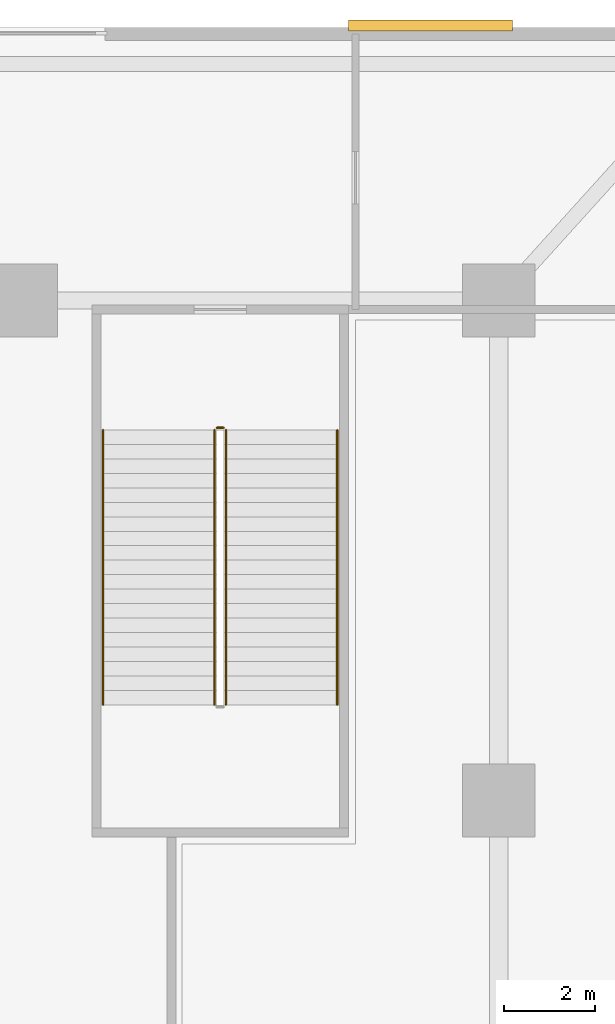
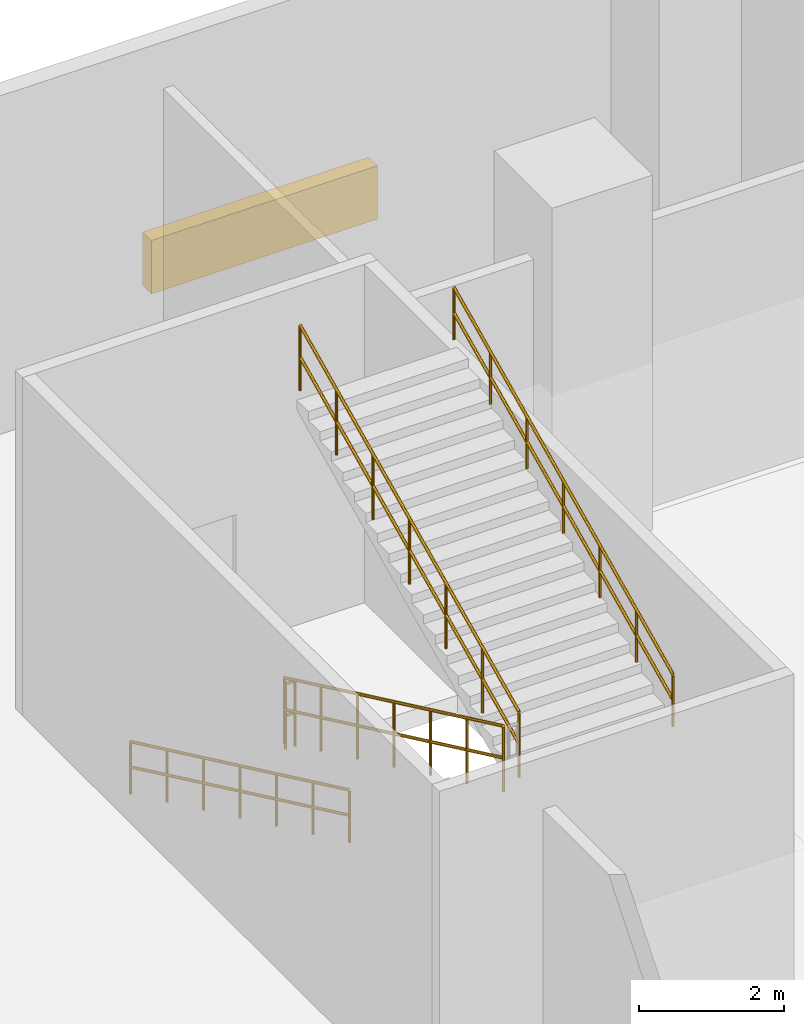
# One storey, part 15 of 16: 5 railings, 1 shading device.
"""IFC4 building model written with IfcOpenShell, lengths in metres."""

import ifcopenshell
import ifcopenshell.guid

model = None  # the IFC model being written
_history = None  # IfcOwnerHistory: only IFC2X3 demands one
_inside = {}  # id of a spatial element -> (the spatial element, [elements in it])
_under = {}  # id of a project, library or spatial element -> (it, [spatial elements below it])
_declared = {}  # id of a project -> (the project, [libraries it declares])
_typed = {}  # id of a type object -> (the type object, [elements of that type])
_made_of = {}  # id of a material, layer set ... -> (it, [elements and type objects made of it])


def new_model(schema):
    """Start an empty IFC model of exactly this schema.

    Asked for "IFC4X3", IfcOpenShell would pick the latest addendum, in which some entities
    have other attributes; the version numbers below select the first issue.
    IFC2X3 requires an IfcOwnerHistory on every rooted entity: one is made here for all.
    """
    global model, _history
    if schema == "IFC4X3":
        model = ifcopenshell.file(schema_version=(4, 3, 0, 0))
    else:
        model = ifcopenshell.file(schema=schema)
    _inside.clear()
    _under.clear()
    _declared.clear()
    _typed.clear()
    _made_of.clear()
    _history = None
    if model.schema == "IFC2X3":
        org = make("IfcOrganization", Name="unknown")
        user = make(
            "IfcPersonAndOrganization",
            ThePerson=make("IfcPerson", FamilyName="unknown"),
            TheOrganization=org,
        )
        app = make(
            "IfcApplication",
            ApplicationDeveloper=org,
            Version="unknown",
            ApplicationFullName="unknown",
            ApplicationIdentifier="unknown",
        )
        _history = make(
            "IfcOwnerHistory",
            OwningUser=user,
            OwningApplication=app,
            ChangeAction="ADDED",
            CreationDate=0,
        )
    return model


def make(cls, **values):
    """One entity of the class cls with the attributes given. An attribute that is None is left unset."""
    return model.create_entity(
        cls, **{name: value for name, value in values.items() if value is not None}
    )


def rooted(cls, **values):
    """An entity with a GlobalId (a new one), such as an element, a storey or a relation."""
    return make(cls, GlobalId=ifcopenshell.guid.new(), OwnerHistory=_history, **values)


def si_unit(unit_type, name, prefix=None):
    """IfcSIUnit, for example si_unit("LENGTHUNIT", "METRE", prefix="MILLI")."""
    return make("IfcSIUnit", UnitType=unit_type, Prefix=prefix, Name=name)


def assignment(units):
    """IfcUnitAssignment: the units of a project."""
    return None if units is None else make("IfcUnitAssignment", Units=units)


def point(xyz):
    """IfcCartesianPoint."""
    return None if xyz is None else make("IfcCartesianPoint", Coordinates=xyz)


def direction(xyz):
    """IfcDirection."""
    return None if xyz is None else make("IfcDirection", DirectionRatios=xyz)


def frame(location, z_axis=None, x_axis=None):
    """IfcAxis2Placement3D, a coordinate frame: its origin and axes. An axis left out is left unset."""
    return make(
        "IfcAxis2Placement3D",
        Location=point(location),
        Axis=direction(z_axis),
        RefDirection=direction(x_axis),
    )


def frame_2d(location, x_axis=None):
    """IfcAxis2Placement2D, a coordinate frame in the plane: its origin and x axis."""
    return make(
        "IfcAxis2Placement2D", Location=point(location), RefDirection=direction(x_axis)
    )


def origin():
    """The frame at (0, 0, 0) with its axes left unset."""
    return frame((0.0, 0.0, 0.0))


def origin_2d():
    """The frame at (0, 0) in the plane with its x axis left unset."""
    return frame_2d((0.0, 0.0))


def place(relative_to, where):
    """IfcLocalPlacement: puts the frame where relative to a parent placement (None: the world)."""
    return make(
        "IfcLocalPlacement", PlacementRelTo=relative_to, RelativePlacement=where
    )


def context(
    kind, dimensions, precision=None, world=None, true_north=None, identifier=None
):
    """IfcGeometricRepresentationContext, for example the 3D "Model" context."""
    return make(
        "IfcGeometricRepresentationContext",
        ContextIdentifier=identifier,
        ContextType=kind,
        CoordinateSpaceDimension=dimensions,
        Precision=precision,
        WorldCoordinateSystem=world,
        TrueNorth=true_north,
    )


def subcontext(parent, identifier, kind, view, scale=None):
    """IfcGeometricRepresentationSubContext, for example "Body" below "Model"."""
    return make(
        "IfcGeometricRepresentationSubContext",
        ContextIdentifier=identifier,
        ContextType=kind,
        ParentContext=parent,
        TargetScale=scale,
        TargetView=view,
    )


def project(units=None, contexts=None):
    """IfcProject with its units and contexts."""
    return rooted(
        "IfcProject",
        Name="project",
        RepresentationContexts=contexts,
        UnitsInContext=assignment(units),
    )


def spatial(cls, under=None, at=None, **own):
    """A site, building, storey or space (cls), placed at a placement, below another one or the project."""
    s = rooted(cls, ObjectPlacement=at, **own)
    if under is not None:
        _under.setdefault(under.id(), (under, []))[1].append(s)
    return s


def profile(cls, at=None, kind="AREA", **sizes):
    """A parametric profile (cls). Its sizes go by their IFC names, for example OverallWidth=200.0."""
    return make(cls, ProfileType=kind, Position=at, **sizes)


def rectangle(**sizes):
    """IfcRectangleProfileDef."""
    return profile("IfcRectangleProfileDef", **sizes)


def circle(**sizes):
    """IfcCircleProfileDef."""
    return profile("IfcCircleProfileDef", **sizes)


def extrude(swept, where, along, depth):
    """IfcExtrudedAreaSolid: the profile swept, set in the frame where, extruded along a direction by depth."""
    return make(
        "IfcExtrudedAreaSolid",
        SweptArea=swept,
        Position=where,
        ExtrudedDirection=direction(along),
        Depth=depth,
    )


def shape(context_of_items, identifier, shape_type, items):
    """IfcShapeRepresentation: the items that make up one representation, for example the "Body"."""
    return make(
        "IfcShapeRepresentation",
        ContextOfItems=context_of_items,
        RepresentationIdentifier=identifier,
        RepresentationType=shape_type,
        Items=items,
    )


def material(Name=None, Category=None):
    """IfcMaterial."""
    return make("IfcMaterial", Name=Name, Category=Category)


def layer(
    of_material, thickness, ventilated=None, Name=None, Category=None, Priority=None
):
    """IfcMaterialLayer: one layer of a wall or slab, of a material (None: an air gap)."""
    return make(
        "IfcMaterialLayer",
        Material=of_material,
        LayerThickness=thickness,
        IsVentilated=ventilated,
        Name=Name,
        Category=Category,
        Priority=Priority,
    )


def layer_set(layers, Name=None):
    """IfcMaterialLayerSet."""
    return make("IfcMaterialLayerSet", MaterialLayers=layers, LayerSetName=Name)


def made_of(thing, what):
    """Note that an element or type object is made of a material, layer set ...; save() writes the relation."""
    if what is not None:
        _made_of.setdefault(what.id(), (what, []))[1].append(thing)
    return thing


def type_object(cls, material=None, **own):
    """A type object (cls), such as IfcWallType, which elements share."""
    return made_of(rooted(cls, **own), material)


def element(
    cls,
    number,
    at=None,
    inside=None,
    cuts=None,
    type_object=None,
    material=None,
    context=None,
    identifier="Body",
    shape_type=None,
    held_by="IfcProductDefinitionShape",
    body=None,
    shapes=None,
    **own,
):
    """One element of the class cls, such as IfcWall. Its Tag is "e" and its number.

    at: its placement. inside: the storey or other place that contains it. cuts: it is an
    opening in that element (IfcRelVoidsElement). A single representation is given by context,
    identifier, shape_type and body (its items); several are given by shapes. held_by: the class
    of the entity that holds the representations. save() writes the other relations.
    """
    e = rooted(cls, Tag="e%d" % number, ObjectPlacement=at, **own)
    if body is not None:
        shapes = [shape(context, identifier, shape_type, body)]
    if shapes is not None:
        e.Representation = make(held_by, Representations=shapes)
    if inside is not None:
        _inside.setdefault(inside.id(), (inside, []))[1].append(e)
    if cuts is not None:
        rooted(
            "IfcRelVoidsElement", RelatingBuildingElement=cuts, RelatedOpeningElement=e
        )
    if type_object is not None:
        _typed.setdefault(type_object.id(), (type_object, []))[1].append(e)
    return made_of(e, material)


def aggregate(whole, parts):
    """IfcRelAggregates: a whole, such as a stair, and the parts it consists of."""
    return rooted("IfcRelAggregates", RelatingObject=whole, RelatedObjects=parts)


def save(model, path):
    """Write the relations noted so far, then the file.

    IfcRelAggregates (storeys below a building ...), IfcRelContainedInSpatialStructure (elements
    in a storey), IfcRelDefinesByType, IfcRelAssociatesMaterial and IfcRelDeclares: one each for
    every whole, place, type object, material and project.
    """
    for whole, parts in _under.values():
        aggregate(whole, parts)
    for where, things in _inside.values():
        rooted(
            "IfcRelContainedInSpatialStructure",
            RelatedElements=things,
            RelatingStructure=where,
        )
    for kind, things in _typed.values():
        rooted("IfcRelDefinesByType", RelatedObjects=things, RelatingType=kind)
    for what, things in _made_of.values():
        rooted("IfcRelAssociatesMaterial", RelatedObjects=things, RelatingMaterial=what)
    for by, libraries in _declared.values():
        rooted("IfcRelDeclares", RelatingContext=by, RelatedDefinitions=libraries)
    model.write(path)


model = new_model("IFC4")

# Units and contexts
model_context = context("Model", 3, precision=1e-05, world=origin(), true_north=direction((0.0, 1.0)))
body_context = subcontext(model_context, "Body", "Model", "MODEL_VIEW")
ifc_project = project(units=[si_unit("LENGTHUNIT", "METRE"), si_unit("AREAUNIT", "SQUARE_METRE"), si_unit("VOLUMEUNIT", "CUBIC_METRE"), si_unit("PLANEANGLEUNIT", "RADIAN"), si_unit("MASSUNIT", "GRAM", prefix="KILO")], contexts=[model_context])

# Site, building, storey
site_placement = place(None, origin())
site = spatial("IfcSite", under=ifc_project, at=site_placement, CompositionType="ELEMENT")
building_placement = place(site_placement, origin())
building = spatial("IfcBuilding", under=site, at=building_placement, Name="Solmavex Isthmus Hotel", CompositionType="ELEMENT")
storey_placement = place(building_placement, frame((0.0, 0.0, 5.39990234375)))
storey = spatial("IfcBuildingStorey", under=building, at=storey_placement, Name="L02", CompositionType="ELEMENT", Elevation=5.39990234375)

# Railings
ifc_material_1 = material(Name="Stainless steel 316", Category="steel")
ifc_layer_1 = layer(ifc_material_1, 0.06005859375)
ifc_layer_set_1 = layer_set([ifc_layer_1], Name="Stainless steel 316")
railing_type_1 = type_object("IfcRailingType", Name="RAIL-STAIR-GD", PredefinedType="GUARDRAIL", material=ifc_layer_set_1)
railing_1_placement = place(storey_placement, frame((22.25, 14.64990234375, 0.150146484375)))
element("IfcRailing", 1, at=railing_1_placement, inside=storey, type_object=railing_type_1, Name="L02 ST-3 stair guard 1", PredefinedType="GUARDRAIL", context=body_context, shape_type="SweptSolid", body=[
    extrude(circle(Radius=0.02392578125, at=origin_2d()), frame((0.0, 0.0, 1.09619140625), z_axis=(0.0, -0.904439840197, 0.426601190182), x_axis=(1.0, 0.0, 0.0)), (0.0, 0.0, 1.0), 6.680419921875),
    extrude(circle(Radius=0.02392578125, at=origin_2d()), frame((0.0, 0.0, 0.56005859375), z_axis=(0.0, -0.904439840197, 0.426601190182), x_axis=(1.0, 0.0, 0.0)), (0.0, 0.0, 1.0), 6.680419921875),
    extrude(circle(Radius=0.02099609375, at=origin_2d()), origin(), (0.0, 0.0, 1.0), 1.072021484375),
    extrude(circle(Radius=0.02099609375, at=origin_2d()), frame((0.0, -1.007080078125, 0.47509765625)), (0.0, 0.0, 1.0), 1.072021484375),
    extrude(circle(Radius=0.02099609375, at=origin_2d()), frame((0.0, -2.013916015625, 0.949951171875)), (0.0, 0.0, 1.0), 1.072021484375),
    extrude(circle(Radius=0.02099609375, at=origin_2d()), frame((0.0, -3.02099609375, 1.4248046875)), (0.0, 0.0, 1.0), 1.072021484375),
    extrude(circle(Radius=0.02099609375, at=origin_2d()), frame((0.0, -4.028076171875, 1.89990234375)), (0.0, 0.0, 1.0), 1.072021484375),
    extrude(circle(Radius=0.02099609375, at=origin_2d()), frame((0.0, -5.034912109375, 2.375)), (0.0, 0.0, 1.0), 1.072021484375),
    extrude(circle(Radius=0.02099609375, at=origin_2d()), frame((0.0, -6.0419921875, 2.849853515625)), (0.0, 0.0, 1.0), 1.072021484375),
])
railing_2_placement = place(storey_placement, frame((22.5, 8.60791015625, 3.150146484375)))
element("IfcRailing", 2, at=railing_2_placement, inside=storey, type_object=railing_type_1, Name="L02 ST-3 stair guard 3", PredefinedType="GUARDRAIL", context=body_context, shape_type="SweptSolid", body=[
    extrude(circle(Radius=0.02392578125, at=origin_2d()), frame((0.0, 0.0, 1.09619140625), z_axis=(0.0, 0.904439840197, 0.426601190182), x_axis=(-1.0, 0.0, 0.0)), (0.0, 0.0, 1.0), 6.680419921875),
    extrude(circle(Radius=0.02392578125, at=origin_2d()), frame((0.0, 0.0, 0.56005859375), z_axis=(0.0, 0.904439840197, 0.426601190182), x_axis=(-1.0, 0.0, 0.0)), (0.0, 0.0, 1.0), 6.680419921875),
    extrude(circle(Radius=0.02099609375, at=origin_2d()), origin(), (0.0, 0.0, 1.0), 1.072021484375),
    extrude(circle(Radius=0.02099609375, at=origin_2d()), frame((0.0, 1.007080078125, 0.47509765625)), (0.0, 0.0, 1.0), 1.072021484375),
    extrude(circle(Radius=0.02099609375, at=origin_2d()), frame((0.0, 2.013916015625, 0.949951171875)), (0.0, 0.0, 1.0), 1.072021484375),
    extrude(circle(Radius=0.02099609375, at=origin_2d()), frame((0.0, 3.02099609375, 1.4248046875)), (0.0, 0.0, 1.0), 1.072021484375),
    extrude(circle(Radius=0.02099609375, at=origin_2d()), frame((0.0, 4.028076171875, 1.89990234375)), (0.0, 0.0, 1.0), 1.072021484375),
    extrude(circle(Radius=0.02099609375, at=origin_2d()), frame((0.0, 5.034912109375, 2.375)), (0.0, 0.0, 1.0), 1.072021484375),
    extrude(circle(Radius=0.02099609375, at=origin_2d()), frame((0.0, 6.0419921875, 2.849853515625)), (0.0, 0.0, 1.0), 1.072021484375),
])
railing_3_placement = place(storey_placement, frame((22.300048828125, 14.699951171875, 0.0)))
element("IfcRailing", 3, at=railing_3_placement, inside=storey, type_object=railing_type_1, Name="L02 ST-3 stair guard 4", PredefinedType="GUARDRAIL", context=body_context, shape_type="SweptSolid", body=[
    extrude(circle(Radius=0.02392578125, at=origin_2d()), frame((0.0, 0.0, 1.09619140625), z_axis=(1.0, 0.0, 0.0), x_axis=(0.0, 1.0, 0.0)), (0.0, 0.0, 1.0), 0.14990234375),
    extrude(circle(Radius=0.02392578125, at=origin_2d()), frame((0.0, 0.0, 0.56005859375), z_axis=(1.0, 0.0, 0.0), x_axis=(0.0, 1.0, 0.0)), (0.0, 0.0, 1.0), 0.14990234375),
    extrude(circle(Radius=0.02099609375, at=origin_2d()), origin(), (0.0, 0.0, 1.0), 1.072021484375),
    extrude(circle(Radius=0.02099609375, at=origin_2d()), frame((0.14990234375, 0.0, 0.0)), (0.0, 0.0, 1.0), 1.072021484375),
])
ifc_layer_2 = layer(ifc_material_1, 0.050048828125)
ifc_layer_set_2 = layer_set([ifc_layer_2], Name="Stainless steel 316")
railing_type_2 = type_object("IfcRailingType", Name="RAIL-STAIR-HR", PredefinedType="HANDRAIL", material=ifc_layer_set_2)
railing_4_placement = place(storey_placement, frame((19.800048828125, 14.64990234375, 0.150146484375)))
element("IfcRailing", 4, at=railing_4_placement, inside=storey, type_object=railing_type_2, Name="L02 ST-3 stair handrail 1", PredefinedType="HANDRAIL", context=body_context, shape_type="SweptSolid", body=[
    extrude(circle(Radius=0.02392578125, at=origin_2d()), frame((0.0, 0.0, 0.8759765625), z_axis=(0.0, -0.904439840197, 0.426601190182), x_axis=(1.0, 0.0, 0.0)), (0.0, 0.0, 1.0), 6.680419921875),
    extrude(circle(Radius=0.02392578125, at=origin_2d()), frame((0.0, 0.0, 0.449951171875), z_axis=(0.0, -0.904439840197, 0.426601190182), x_axis=(1.0, 0.0, 0.0)), (0.0, 0.0, 1.0), 6.680419921875),
    extrude(circle(Radius=0.02099609375, at=origin_2d()), origin(), (0.0, 0.0, 1.0), 0.851806640625),
    extrude(circle(Radius=0.02099609375, at=origin_2d()), frame((0.0, -1.007080078125, 0.47509765625)), (0.0, 0.0, 1.0), 0.851806640625),
    extrude(circle(Radius=0.02099609375, at=origin_2d()), frame((0.0, -2.013916015625, 0.949951171875)), (0.0, 0.0, 1.0), 0.851806640625),
    extrude(circle(Radius=0.02099609375, at=origin_2d()), frame((0.0, -3.02099609375, 1.4248046875)), (0.0, 0.0, 1.0), 0.851806640625),
    extrude(circle(Radius=0.02099609375, at=origin_2d()), frame((0.0, -4.028076171875, 1.89990234375)), (0.0, 0.0, 1.0), 0.851806640625),
    extrude(circle(Radius=0.02099609375, at=origin_2d()), frame((0.0, -5.034912109375, 2.375)), (0.0, 0.0, 1.0), 0.851806640625),
    extrude(circle(Radius=0.02099609375, at=origin_2d()), frame((0.0, -6.0419921875, 2.849853515625)), (0.0, 0.0, 1.0), 0.851806640625),
])
railing_5_placement = place(storey_placement, frame((24.949951171875, 8.60791015625, 3.150146484375)))
element("IfcRailing", 5, at=railing_5_placement, inside=storey, type_object=railing_type_2, Name="L02 ST-3 stair handrail 2", PredefinedType="HANDRAIL", context=body_context, shape_type="SweptSolid", body=[
    extrude(circle(Radius=0.02392578125, at=origin_2d()), frame((0.0, 0.0, 0.8759765625), z_axis=(0.0, 0.904439840197, 0.426601190182), x_axis=(-1.0, 0.0, 0.0)), (0.0, 0.0, 1.0), 6.680419921875),
    extrude(circle(Radius=0.02392578125, at=origin_2d()), frame((0.0, 0.0, 0.449951171875), z_axis=(0.0, 0.904439840197, 0.426601190182), x_axis=(-1.0, 0.0, 0.0)), (0.0, 0.0, 1.0), 6.680419921875),
    extrude(circle(Radius=0.02099609375, at=origin_2d()), origin(), (0.0, 0.0, 1.0), 0.851806640625),
    extrude(circle(Radius=0.02099609375, at=origin_2d()), frame((0.0, 1.007080078125, 0.47509765625)), (0.0, 0.0, 1.0), 0.851806640625),
    extrude(circle(Radius=0.02099609375, at=origin_2d()), frame((0.0, 2.013916015625, 0.949951171875)), (0.0, 0.0, 1.0), 0.851806640625),
    extrude(circle(Radius=0.02099609375, at=origin_2d()), frame((0.0, 3.02099609375, 1.4248046875)), (0.0, 0.0, 1.0), 0.851806640625),
    extrude(circle(Radius=0.02099609375, at=origin_2d()), frame((0.0, 4.028076171875, 1.89990234375)), (0.0, 0.0, 1.0), 0.851806640625),
    extrude(circle(Radius=0.02099609375, at=origin_2d()), frame((0.0, 5.034912109375, 2.375)), (0.0, 0.0, 1.0), 0.851806640625),
    extrude(circle(Radius=0.02099609375, at=origin_2d()), frame((0.0, 6.0419921875, 2.849853515625)), (0.0, 0.0, 1.0), 0.851806640625),
])

# Shading device
ifc_material_2 = material(Name="Aluminium alloy 6063-T6", Category="aluminium")
shading_device_type = type_object("IfcShadingDeviceType", Name="SHD-LOUVRE-BOX", PredefinedType="JALOUSIE", material=ifc_material_2)
shading_device_placement = place(storey_placement, frame((27.0, 23.550048828125, 1.35009765625), z_axis=(0.0, 0.0, 1.0), x_axis=(1.0, 0.0, 0.0)))
element("IfcShadingDevice", 6, at=shading_device_placement, inside=storey, type_object=shading_device_type, Name="Bronze Anodised Arrival Louvre Screen L02-2", PredefinedType="JALOUSIE", context=body_context, shape_type="SweptSolid", body=[
    extrude(rectangle(XDim=3.60009765625, YDim=0.239990234375, at=origin_2d()), origin(), (0.0, 0.0, 1.0), 0.89990234375),
])

save(model, "model.ifc")
